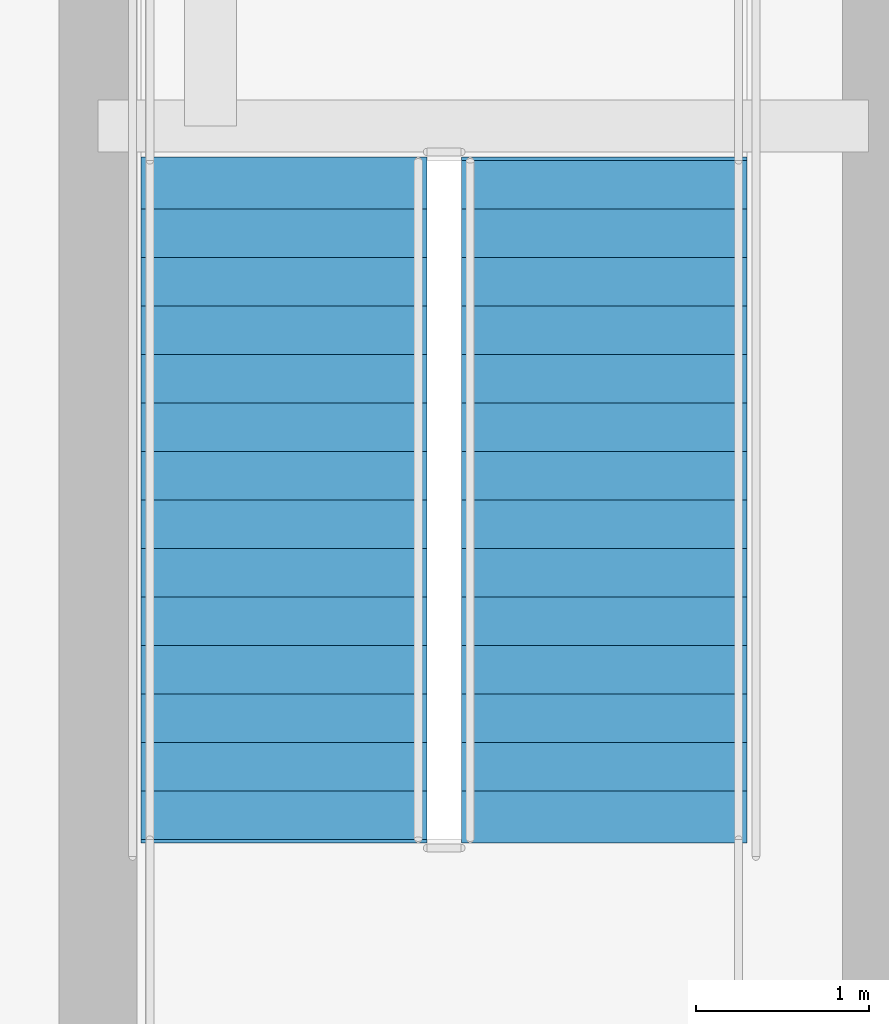
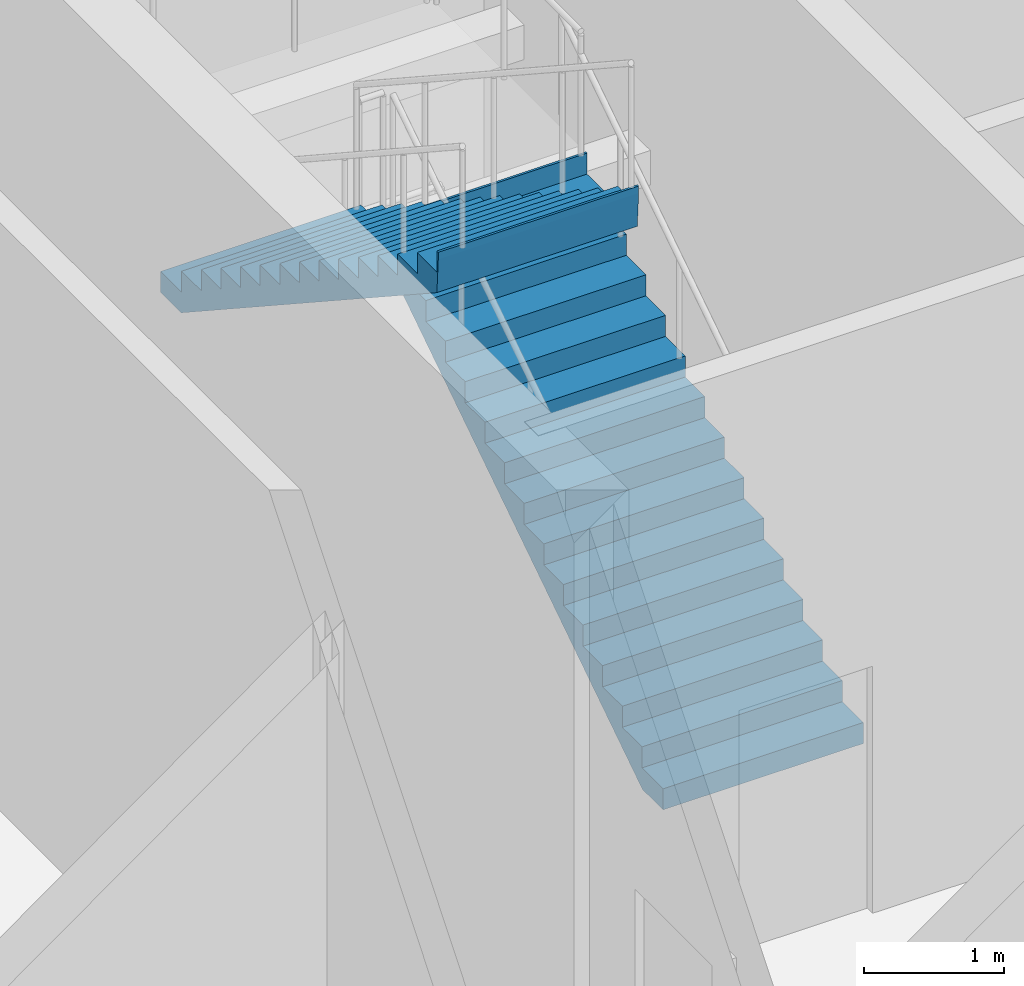
# One storey, part 7 of 15: 2 stair flights, 1 element without a shape of its own.
"""IFC4 building model written with IfcOpenShell, lengths in metres."""

from ifc_helpers import new_model, si_unit, direction, frame, origin, place, context, subcontext, project, spatial, polygons, material, type_object, element, aggregate, save


model = new_model("IFC4")

# Units and contexts
model_context = context("Model", 3, precision=1e-05, world=origin(), true_north=direction((0.0, 1.0)))
body_context = subcontext(model_context, "Body", "Model", "MODEL_VIEW")
ifc_project = project(units=[si_unit("LENGTHUNIT", "METRE"), si_unit("AREAUNIT", "SQUARE_METRE"), si_unit("VOLUMEUNIT", "CUBIC_METRE"), si_unit("PLANEANGLEUNIT", "RADIAN"), si_unit("MASSUNIT", "GRAM", prefix="KILO")], contexts=[model_context])

# Site, building, storey
site_placement = place(None, origin())
site = spatial("IfcSite", under=ifc_project, at=site_placement, CompositionType="ELEMENT")
building_placement = place(site_placement, origin())
building = spatial("IfcBuilding", under=site, at=building_placement, Name="Serunith Strait Residences", CompositionType="ELEMENT")
storey_placement = place(building_placement, origin())
storey = spatial("IfcBuildingStorey", under=building, at=storey_placement, Name="L00", CompositionType="ELEMENT", Elevation=0.0)

# Stair, stair flights
ifc_material = material(Name="Concrete C50/60", Category="concrete")
stair_type = type_object("IfcStairType", Name="STR-CORE-1", PredefinedType="HALF_TURN_STAIR", material=ifc_material)
stair_placement = place(storey_placement, origin())
stair = element("IfcStair", 1, at=stair_placement, inside=storey, type_object=stair_type, Name="L00 Protected Escape Stair ST-1", PredefinedType="HALF_TURN_STAIR")
stair_flight_type = type_object("IfcStairFlightType", Name="FLT-CORE-1", PredefinedType="STRAIGHT", material=ifc_material)
stair_flight_1_placement = place(storey_placement, frame((26.324951171875, 27.030029296875, 0.0), z_axis=(0.0, 0.0, 1.0), x_axis=(0.0, 1.0, 0.0)))
stair_flight_1 = element("IfcStairFlight", 2, at=stair_flight_1_placement, type_object=stair_flight_type, Name="ST-1 flight 1", NumberOfRisers=15, NumberOfTreads=14, PredefinedType="STRAIGHT", RiserHeight=0.183333333, TreadLength=0.28, context=body_context, shape_type="Tessellation", body=[
    polygons([(-0.02001953125, -0.824951171875, 0.0), (-0.02001953125, -0.824951171875, 0.183349609375), (0.280029296875, -0.824951171875, 0.183349609375), (0.280029296875, -0.824951171875, 0.36669921875), (0.56005859375, -0.824951171875, 0.36669921875), (0.56005859375, -0.824951171875, 0.550048828125), (0.840087890625, -0.824951171875, 0.550048828125), (0.840087890625, -0.824951171875, 0.7333984375), (1.1201171875, -0.824951171875, 0.7333984375), (1.1201171875, -0.824951171875, 0.916748046875), (1.39990234375, -0.824951171875, 0.916748046875), (1.39990234375, -0.824951171875, 1.10009765625), (1.679931640625, -0.824951171875, 1.10009765625), (1.679931640625, -0.824951171875, 1.283447265625), (1.9599609375, -0.824951171875, 1.283447265625), (1.9599609375, -0.824951171875, 1.466552734375), (2.239990234375, -0.824951171875, 1.466552734375), (2.239990234375, -0.824951171875, 1.64990234375), (2.52001953125, -0.824951171875, 1.64990234375), (2.52001953125, -0.824951171875, 1.833251953125), (2.800048828125, -0.824951171875, 1.833251953125), (2.800048828125, -0.824951171875, 2.0166015625), (3.080078125, -0.824951171875, 2.0166015625), (3.080078125, -0.824951171875, 2.199951171875), (3.360107421875, -0.824951171875, 2.199951171875), (3.360107421875, -0.824951171875, 2.38330078125), (3.639892578125, -0.824951171875, 2.38330078125), (3.639892578125, -0.824951171875, 2.566650390625), (3.919921875, -0.824951171875, 2.566650390625), (3.919921875, -0.824951171875, 2.75), (3.93994140625, -0.824951171875, 2.75), (3.93994140625, -0.824951171875, 2.68994140625), (3.919921875, -0.824951171875, 2.387451171875), (0.273681640625, -0.824951171875, 0.0), (-0.02001953125, -0.41259765625, 0.0), (-0.02001953125, -0.41259765625, 0.183349609375), (0.280029296875, -0.41259765625, 0.183349609375), (0.280029296875, -0.41259765625, 0.36669921875), (0.56005859375, -0.41259765625, 0.36669921875), (0.56005859375, -0.41259765625, 0.550048828125), (0.840087890625, -0.41259765625, 0.550048828125), (0.840087890625, -0.41259765625, 0.7333984375), (1.1201171875, -0.41259765625, 0.7333984375), (1.1201171875, -0.41259765625, 0.916748046875), (1.39990234375, -0.41259765625, 0.916748046875), (1.39990234375, -0.41259765625, 1.10009765625), (1.679931640625, -0.41259765625, 1.10009765625), (1.679931640625, -0.41259765625, 1.283447265625), (1.9599609375, -0.41259765625, 1.283447265625), (1.9599609375, -0.41259765625, 1.466552734375), (2.239990234375, -0.41259765625, 1.466552734375), (2.239990234375, -0.41259765625, 1.64990234375), (2.52001953125, -0.41259765625, 1.64990234375), (2.52001953125, -0.41259765625, 1.833251953125), (2.800048828125, -0.41259765625, 1.833251953125), (2.800048828125, -0.41259765625, 2.0166015625), (3.080078125, -0.41259765625, 2.0166015625), (3.080078125, -0.41259765625, 2.199951171875), (3.360107421875, -0.41259765625, 2.199951171875), (3.360107421875, -0.41259765625, 2.38330078125), (3.639892578125, -0.41259765625, 2.38330078125), (3.639892578125, -0.41259765625, 2.566650390625), (3.919921875, -0.41259765625, 2.566650390625), (3.919921875, -0.41259765625, 2.75), (3.93994140625, -0.41259765625, 2.75), (3.93994140625, -0.41259765625, 2.68994140625), (3.919921875, -0.41259765625, 2.387451171875), (0.273681640625, -0.41259765625, 0.0), (-0.02001953125, 0.0, 0.0), (-0.02001953125, 0.0, 0.183349609375), (0.280029296875, 0.0, 0.183349609375), (0.280029296875, 0.0, 0.36669921875), (0.56005859375, 0.0, 0.36669921875), (0.56005859375, 0.0, 0.550048828125), (0.840087890625, 0.0, 0.550048828125), (0.840087890625, 0.0, 0.7333984375), (1.1201171875, 0.0, 0.7333984375), (1.1201171875, 0.0, 0.916748046875), (1.39990234375, 0.0, 0.916748046875), (1.39990234375, 0.0, 1.10009765625), (1.679931640625, 0.0, 1.10009765625), (1.679931640625, 0.0, 1.283447265625), (1.9599609375, 0.0, 1.283447265625), (1.9599609375, 0.0, 1.466552734375), (2.239990234375, 0.0, 1.466552734375), (2.239990234375, 0.0, 1.64990234375), (2.52001953125, 0.0, 1.64990234375), (2.52001953125, 0.0, 1.833251953125), (2.800048828125, 0.0, 1.833251953125), (2.800048828125, 0.0, 2.0166015625), (3.080078125, 0.0, 2.0166015625), (3.080078125, 0.0, 2.199951171875), (3.360107421875, 0.0, 2.199951171875), (3.360107421875, 0.0, 2.38330078125), (3.639892578125, 0.0, 2.38330078125), (3.639892578125, 0.0, 2.566650390625), (3.919921875, 0.0, 2.566650390625), (3.919921875, 0.0, 2.75), (3.93994140625, 0.0, 2.75), (3.93994140625, 0.0, 2.68994140625), (3.919921875, 0.0, 2.387451171875), (0.273681640625, 0.0, 0.0), (-0.02001953125, 0.41259765625, 0.0), (-0.02001953125, 0.41259765625, 0.183349609375), (0.280029296875, 0.41259765625, 0.183349609375), (0.280029296875, 0.41259765625, 0.36669921875), (0.56005859375, 0.41259765625, 0.36669921875), (0.56005859375, 0.41259765625, 0.550048828125), (0.840087890625, 0.41259765625, 0.550048828125), (0.840087890625, 0.41259765625, 0.7333984375), (1.1201171875, 0.41259765625, 0.7333984375), (1.1201171875, 0.41259765625, 0.916748046875), (1.39990234375, 0.41259765625, 0.916748046875), (1.39990234375, 0.41259765625, 1.10009765625), (1.679931640625, 0.41259765625, 1.10009765625), (1.679931640625, 0.41259765625, 1.283447265625), (1.9599609375, 0.41259765625, 1.283447265625), (1.9599609375, 0.41259765625, 1.466552734375), (2.239990234375, 0.41259765625, 1.466552734375), (2.239990234375, 0.41259765625, 1.64990234375), (2.52001953125, 0.41259765625, 1.64990234375), (2.52001953125, 0.41259765625, 1.833251953125), (2.800048828125, 0.41259765625, 1.833251953125), (2.800048828125, 0.41259765625, 2.0166015625), (3.080078125, 0.41259765625, 2.0166015625), (3.080078125, 0.41259765625, 2.199951171875), (3.360107421875, 0.41259765625, 2.199951171875), (3.360107421875, 0.41259765625, 2.38330078125), (3.639892578125, 0.41259765625, 2.38330078125), (3.639892578125, 0.41259765625, 2.566650390625), (3.919921875, 0.41259765625, 2.566650390625), (3.919921875, 0.41259765625, 2.75), (3.93994140625, 0.41259765625, 2.75), (3.93994140625, 0.41259765625, 2.68994140625), (3.919921875, 0.41259765625, 2.387451171875), (0.273681640625, 0.41259765625, 0.0), (-0.02001953125, 0.824951171875, 0.0), (-0.02001953125, 0.824951171875, 0.183349609375), (0.280029296875, 0.824951171875, 0.183349609375), (0.280029296875, 0.824951171875, 0.36669921875), (0.56005859375, 0.824951171875, 0.36669921875), (0.56005859375, 0.824951171875, 0.550048828125), (0.840087890625, 0.824951171875, 0.550048828125), (0.840087890625, 0.824951171875, 0.7333984375), (1.1201171875, 0.824951171875, 0.7333984375), (1.1201171875, 0.824951171875, 0.916748046875), (1.39990234375, 0.824951171875, 0.916748046875), (1.39990234375, 0.824951171875, 1.10009765625), (1.679931640625, 0.824951171875, 1.10009765625), (1.679931640625, 0.824951171875, 1.283447265625), (1.9599609375, 0.824951171875, 1.283447265625), (1.9599609375, 0.824951171875, 1.466552734375), (2.239990234375, 0.824951171875, 1.466552734375), (2.239990234375, 0.824951171875, 1.64990234375), (2.52001953125, 0.824951171875, 1.64990234375), (2.52001953125, 0.824951171875, 1.833251953125), (2.800048828125, 0.824951171875, 1.833251953125), (2.800048828125, 0.824951171875, 2.0166015625), (3.080078125, 0.824951171875, 2.0166015625), (3.080078125, 0.824951171875, 2.199951171875), (3.360107421875, 0.824951171875, 2.199951171875), (3.360107421875, 0.824951171875, 2.38330078125), (3.639892578125, 0.824951171875, 2.38330078125), (3.639892578125, 0.824951171875, 2.566650390625), (3.919921875, 0.824951171875, 2.566650390625), (3.919921875, 0.824951171875, 2.75), (3.93994140625, 0.824951171875, 2.75), (3.93994140625, 0.824951171875, 2.68994140625), (3.919921875, 0.824951171875, 2.387451171875), (0.273681640625, 0.824951171875, 0.0)], [[[1, 2, 36, 35]], [[2, 3, 37, 36]], [[3, 4, 38, 37]], [[4, 5, 39, 38]], [[5, 6, 40, 39]], [[6, 7, 41, 40]], [[7, 8, 42, 41]], [[8, 9, 43, 42]], [[9, 10, 44, 43]], [[10, 11, 45, 44]], [[11, 12, 46, 45]], [[12, 13, 47, 46]], [[13, 14, 48, 47]], [[14, 15, 49, 48]], [[15, 16, 50, 49]], [[16, 17, 51, 50]], [[17, 18, 52, 51]], [[18, 19, 53, 52]], [[19, 20, 54, 53]], [[20, 21, 55, 54]], [[21, 22, 56, 55]], [[22, 23, 57, 56]], [[23, 24, 58, 57]], [[24, 25, 59, 58]], [[25, 26, 60, 59]], [[26, 27, 61, 60]], [[27, 28, 62, 61]], [[28, 29, 63, 62]], [[29, 30, 64, 63]], [[30, 31, 65, 64]], [[31, 32, 66, 65]], [[32, 33, 67, 66]], [[33, 34, 68, 67]], [[34, 1, 35, 68]], [[35, 36, 70, 69]], [[36, 37, 71, 70]], [[37, 38, 72, 71]], [[38, 39, 73, 72]], [[39, 40, 74, 73]], [[40, 41, 75, 74]], [[41, 42, 76, 75]], [[42, 43, 77, 76]], [[43, 44, 78, 77]], [[44, 45, 79, 78]], [[45, 46, 80, 79]], [[46, 47, 81, 80]], [[47, 48, 82, 81]], [[48, 49, 83, 82]], [[49, 50, 84, 83]], [[50, 51, 85, 84]], [[51, 52, 86, 85]], [[52, 53, 87, 86]], [[53, 54, 88, 87]], [[54, 55, 89, 88]], [[55, 56, 90, 89]], [[56, 57, 91, 90]], [[57, 58, 92, 91]], [[58, 59, 93, 92]], [[59, 60, 94, 93]], [[60, 61, 95, 94]], [[61, 62, 96, 95]], [[62, 63, 97, 96]], [[63, 64, 98, 97]], [[64, 65, 99, 98]], [[65, 66, 100, 99]], [[66, 67, 101, 100]], [[67, 68, 102, 101]], [[68, 35, 69, 102]], [[69, 70, 104, 103]], [[70, 71, 105, 104]], [[71, 72, 106, 105]], [[72, 73, 107, 106]], [[73, 74, 108, 107]], [[74, 75, 109, 108]], [[75, 76, 110, 109]], [[76, 77, 111, 110]], [[77, 78, 112, 111]], [[78, 79, 113, 112]], [[79, 80, 114, 113]], [[80, 81, 115, 114]], [[81, 82, 116, 115]], [[82, 83, 117, 116]], [[83, 84, 118, 117]], [[84, 85, 119, 118]], [[85, 86, 120, 119]], [[86, 87, 121, 120]], [[87, 88, 122, 121]], [[88, 89, 123, 122]], [[89, 90, 124, 123]], [[90, 91, 125, 124]], [[91, 92, 126, 125]], [[92, 93, 127, 126]], [[93, 94, 128, 127]], [[94, 95, 129, 128]], [[95, 96, 130, 129]], [[96, 97, 131, 130]], [[97, 98, 132, 131]], [[98, 99, 133, 132]], [[99, 100, 134, 133]], [[100, 101, 135, 134]], [[101, 102, 136, 135]], [[102, 69, 103, 136]], [[103, 104, 138, 137]], [[104, 105, 139, 138]], [[105, 106, 140, 139]], [[106, 107, 141, 140]], [[107, 108, 142, 141]], [[108, 109, 143, 142]], [[109, 110, 144, 143]], [[110, 111, 145, 144]], [[111, 112, 146, 145]], [[112, 113, 147, 146]], [[113, 114, 148, 147]], [[114, 115, 149, 148]], [[115, 116, 150, 149]], [[116, 117, 151, 150]], [[117, 118, 152, 151]], [[118, 119, 153, 152]], [[119, 120, 154, 153]], [[120, 121, 155, 154]], [[121, 122, 156, 155]], [[122, 123, 157, 156]], [[123, 124, 158, 157]], [[124, 125, 159, 158]], [[125, 126, 160, 159]], [[126, 127, 161, 160]], [[127, 128, 162, 161]], [[128, 129, 163, 162]], [[129, 130, 164, 163]], [[130, 131, 165, 164]], [[131, 132, 166, 165]], [[132, 133, 167, 166]], [[133, 134, 168, 167]], [[134, 135, 169, 168]], [[135, 136, 170, 169]], [[136, 103, 137, 170]], [[34, 33, 32, 31, 30, 29, 28, 27, 26, 25, 24, 23, 22, 21, 20, 19, 18, 17, 16, 15, 14, 13, 12, 11, 10, 9, 8, 7, 6, 5, 4, 3, 2, 1]], [[137, 138, 139, 140, 141, 142, 143, 144, 145, 146, 147, 148, 149, 150, 151, 152, 153, 154, 155, 156, 157, 158, 159, 160, 161, 162, 163, 164, 165, 166, 167, 168, 169, 170]]], closed=True),
])
stair_flight_2_placement = place(storey_placement, frame((24.47509765625, 30.949951171875, 2.75), z_axis=(0.0, 0.0, 1.0), x_axis=(0.0, -1.0, 0.0)))
stair_flight_2 = element("IfcStairFlight", 3, at=stair_flight_2_placement, type_object=stair_flight_type, Name="ST-1 flight 2", NumberOfRisers=15, NumberOfTreads=14, PredefinedType="STRAIGHT", RiserHeight=0.183333333, TreadLength=0.28, context=body_context, shape_type="Tessellation", body=[
    polygons([(-0.02001953125, -0.824951171875, 0.0), (-0.02001953125, -0.824951171875, 0.183349609375), (0.280029296875, -0.824951171875, 0.183349609375), (0.280029296875, -0.824951171875, 0.36669921875), (0.56005859375, -0.824951171875, 0.36669921875), (0.56005859375, -0.824951171875, 0.550048828125), (0.840087890625, -0.824951171875, 0.550048828125), (0.840087890625, -0.824951171875, 0.7333984375), (1.1201171875, -0.824951171875, 0.7333984375), (1.1201171875, -0.824951171875, 0.916748046875), (1.39990234375, -0.824951171875, 0.916748046875), (1.39990234375, -0.824951171875, 1.10009765625), (1.679931640625, -0.824951171875, 1.10009765625), (1.679931640625, -0.824951171875, 1.283447265625), (1.9599609375, -0.824951171875, 1.283447265625), (1.9599609375, -0.824951171875, 1.466552734375), (2.239990234375, -0.824951171875, 1.466552734375), (2.239990234375, -0.824951171875, 1.64990234375), (2.52001953125, -0.824951171875, 1.64990234375), (2.52001953125, -0.824951171875, 1.833251953125), (2.800048828125, -0.824951171875, 1.833251953125), (2.800048828125, -0.824951171875, 2.0166015625), (3.080078125, -0.824951171875, 2.0166015625), (3.080078125, -0.824951171875, 2.199951171875), (3.360107421875, -0.824951171875, 2.199951171875), (3.360107421875, -0.824951171875, 2.38330078125), (3.639892578125, -0.824951171875, 2.38330078125), (3.639892578125, -0.824951171875, 2.566650390625), (3.919921875, -0.824951171875, 2.566650390625), (3.919921875, -0.824951171875, 2.75), (3.93994140625, -0.824951171875, 2.75), (3.93994140625, -0.824951171875, 2.68994140625), (3.919921875, -0.824951171875, 2.387451171875), (0.273681640625, -0.824951171875, 0.0), (-0.02001953125, -0.41259765625, 0.0), (-0.02001953125, -0.41259765625, 0.183349609375), (0.280029296875, -0.41259765625, 0.183349609375), (0.280029296875, -0.41259765625, 0.36669921875), (0.56005859375, -0.41259765625, 0.36669921875), (0.56005859375, -0.41259765625, 0.550048828125), (0.840087890625, -0.41259765625, 0.550048828125), (0.840087890625, -0.41259765625, 0.7333984375), (1.1201171875, -0.41259765625, 0.7333984375), (1.1201171875, -0.41259765625, 0.916748046875), (1.39990234375, -0.41259765625, 0.916748046875), (1.39990234375, -0.41259765625, 1.10009765625), (1.679931640625, -0.41259765625, 1.10009765625), (1.679931640625, -0.41259765625, 1.283447265625), (1.9599609375, -0.41259765625, 1.283447265625), (1.9599609375, -0.41259765625, 1.466552734375), (2.239990234375, -0.41259765625, 1.466552734375), (2.239990234375, -0.41259765625, 1.64990234375), (2.52001953125, -0.41259765625, 1.64990234375), (2.52001953125, -0.41259765625, 1.833251953125), (2.800048828125, -0.41259765625, 1.833251953125), (2.800048828125, -0.41259765625, 2.0166015625), (3.080078125, -0.41259765625, 2.0166015625), (3.080078125, -0.41259765625, 2.199951171875), (3.360107421875, -0.41259765625, 2.199951171875), (3.360107421875, -0.41259765625, 2.38330078125), (3.639892578125, -0.41259765625, 2.38330078125), (3.639892578125, -0.41259765625, 2.566650390625), (3.919921875, -0.41259765625, 2.566650390625), (3.919921875, -0.41259765625, 2.75), (3.93994140625, -0.41259765625, 2.75), (3.93994140625, -0.41259765625, 2.68994140625), (3.919921875, -0.41259765625, 2.387451171875), (0.273681640625, -0.41259765625, 0.0), (-0.02001953125, 0.0, 0.0), (-0.02001953125, 0.0, 0.183349609375), (0.280029296875, 0.0, 0.183349609375), (0.280029296875, 0.0, 0.36669921875), (0.56005859375, 0.0, 0.36669921875), (0.56005859375, 0.0, 0.550048828125), (0.840087890625, 0.0, 0.550048828125), (0.840087890625, 0.0, 0.7333984375), (1.1201171875, 0.0, 0.7333984375), (1.1201171875, 0.0, 0.916748046875), (1.39990234375, 0.0, 0.916748046875), (1.39990234375, 0.0, 1.10009765625), (1.679931640625, 0.0, 1.10009765625), (1.679931640625, 0.0, 1.283447265625), (1.9599609375, 0.0, 1.283447265625), (1.9599609375, 0.0, 1.466552734375), (2.239990234375, 0.0, 1.466552734375), (2.239990234375, 0.0, 1.64990234375), (2.52001953125, 0.0, 1.64990234375), (2.52001953125, 0.0, 1.833251953125), (2.800048828125, 0.0, 1.833251953125), (2.800048828125, 0.0, 2.0166015625), (3.080078125, 0.0, 2.0166015625), (3.080078125, 0.0, 2.199951171875), (3.360107421875, 0.0, 2.199951171875), (3.360107421875, 0.0, 2.38330078125), (3.639892578125, 0.0, 2.38330078125), (3.639892578125, 0.0, 2.566650390625), (3.919921875, 0.0, 2.566650390625), (3.919921875, 0.0, 2.75), (3.93994140625, 0.0, 2.75), (3.93994140625, 0.0, 2.68994140625), (3.919921875, 0.0, 2.387451171875), (0.273681640625, 0.0, 0.0), (-0.02001953125, 0.41259765625, 0.0), (-0.02001953125, 0.41259765625, 0.183349609375), (0.280029296875, 0.41259765625, 0.183349609375), (0.280029296875, 0.41259765625, 0.36669921875), (0.56005859375, 0.41259765625, 0.36669921875), (0.56005859375, 0.41259765625, 0.550048828125), (0.840087890625, 0.41259765625, 0.550048828125), (0.840087890625, 0.41259765625, 0.7333984375), (1.1201171875, 0.41259765625, 0.7333984375), (1.1201171875, 0.41259765625, 0.916748046875), (1.39990234375, 0.41259765625, 0.916748046875), (1.39990234375, 0.41259765625, 1.10009765625), (1.679931640625, 0.41259765625, 1.10009765625), (1.679931640625, 0.41259765625, 1.283447265625), (1.9599609375, 0.41259765625, 1.283447265625), (1.9599609375, 0.41259765625, 1.466552734375), (2.239990234375, 0.41259765625, 1.466552734375), (2.239990234375, 0.41259765625, 1.64990234375), (2.52001953125, 0.41259765625, 1.64990234375), (2.52001953125, 0.41259765625, 1.833251953125), (2.800048828125, 0.41259765625, 1.833251953125), (2.800048828125, 0.41259765625, 2.0166015625), (3.080078125, 0.41259765625, 2.0166015625), (3.080078125, 0.41259765625, 2.199951171875), (3.360107421875, 0.41259765625, 2.199951171875), (3.360107421875, 0.41259765625, 2.38330078125), (3.639892578125, 0.41259765625, 2.38330078125), (3.639892578125, 0.41259765625, 2.566650390625), (3.919921875, 0.41259765625, 2.566650390625), (3.919921875, 0.41259765625, 2.75), (3.93994140625, 0.41259765625, 2.75), (3.93994140625, 0.41259765625, 2.68994140625), (3.919921875, 0.41259765625, 2.387451171875), (0.273681640625, 0.41259765625, 0.0), (-0.02001953125, 0.824951171875, 0.0), (-0.02001953125, 0.824951171875, 0.183349609375), (0.280029296875, 0.824951171875, 0.183349609375), (0.280029296875, 0.824951171875, 0.36669921875), (0.56005859375, 0.824951171875, 0.36669921875), (0.56005859375, 0.824951171875, 0.550048828125), (0.840087890625, 0.824951171875, 0.550048828125), (0.840087890625, 0.824951171875, 0.7333984375), (1.1201171875, 0.824951171875, 0.7333984375), (1.1201171875, 0.824951171875, 0.916748046875), (1.39990234375, 0.824951171875, 0.916748046875), (1.39990234375, 0.824951171875, 1.10009765625), (1.679931640625, 0.824951171875, 1.10009765625), (1.679931640625, 0.824951171875, 1.283447265625), (1.9599609375, 0.824951171875, 1.283447265625), (1.9599609375, 0.824951171875, 1.466552734375), (2.239990234375, 0.824951171875, 1.466552734375), (2.239990234375, 0.824951171875, 1.64990234375), (2.52001953125, 0.824951171875, 1.64990234375), (2.52001953125, 0.824951171875, 1.833251953125), (2.800048828125, 0.824951171875, 1.833251953125), (2.800048828125, 0.824951171875, 2.0166015625), (3.080078125, 0.824951171875, 2.0166015625), (3.080078125, 0.824951171875, 2.199951171875), (3.360107421875, 0.824951171875, 2.199951171875), (3.360107421875, 0.824951171875, 2.38330078125), (3.639892578125, 0.824951171875, 2.38330078125), (3.639892578125, 0.824951171875, 2.566650390625), (3.919921875, 0.824951171875, 2.566650390625), (3.919921875, 0.824951171875, 2.75), (3.93994140625, 0.824951171875, 2.75), (3.93994140625, 0.824951171875, 2.68994140625), (3.919921875, 0.824951171875, 2.387451171875), (0.273681640625, 0.824951171875, 0.0)], [[[1, 2, 36, 35]], [[2, 3, 37, 36]], [[3, 4, 38, 37]], [[4, 5, 39, 38]], [[5, 6, 40, 39]], [[6, 7, 41, 40]], [[7, 8, 42, 41]], [[8, 9, 43, 42]], [[9, 10, 44, 43]], [[10, 11, 45, 44]], [[11, 12, 46, 45]], [[12, 13, 47, 46]], [[13, 14, 48, 47]], [[14, 15, 49, 48]], [[15, 16, 50, 49]], [[16, 17, 51, 50]], [[17, 18, 52, 51]], [[18, 19, 53, 52]], [[19, 20, 54, 53]], [[20, 21, 55, 54]], [[21, 22, 56, 55]], [[22, 23, 57, 56]], [[23, 24, 58, 57]], [[24, 25, 59, 58]], [[25, 26, 60, 59]], [[26, 27, 61, 60]], [[27, 28, 62, 61]], [[28, 29, 63, 62]], [[29, 30, 64, 63]], [[30, 31, 65, 64]], [[31, 32, 66, 65]], [[32, 33, 67, 66]], [[33, 34, 68, 67]], [[34, 1, 35, 68]], [[35, 36, 70, 69]], [[36, 37, 71, 70]], [[37, 38, 72, 71]], [[38, 39, 73, 72]], [[39, 40, 74, 73]], [[40, 41, 75, 74]], [[41, 42, 76, 75]], [[42, 43, 77, 76]], [[43, 44, 78, 77]], [[44, 45, 79, 78]], [[45, 46, 80, 79]], [[46, 47, 81, 80]], [[47, 48, 82, 81]], [[48, 49, 83, 82]], [[49, 50, 84, 83]], [[50, 51, 85, 84]], [[51, 52, 86, 85]], [[52, 53, 87, 86]], [[53, 54, 88, 87]], [[54, 55, 89, 88]], [[55, 56, 90, 89]], [[56, 57, 91, 90]], [[57, 58, 92, 91]], [[58, 59, 93, 92]], [[59, 60, 94, 93]], [[60, 61, 95, 94]], [[61, 62, 96, 95]], [[62, 63, 97, 96]], [[63, 64, 98, 97]], [[64, 65, 99, 98]], [[65, 66, 100, 99]], [[66, 67, 101, 100]], [[67, 68, 102, 101]], [[68, 35, 69, 102]], [[69, 70, 104, 103]], [[70, 71, 105, 104]], [[71, 72, 106, 105]], [[72, 73, 107, 106]], [[73, 74, 108, 107]], [[74, 75, 109, 108]], [[75, 76, 110, 109]], [[76, 77, 111, 110]], [[77, 78, 112, 111]], [[78, 79, 113, 112]], [[79, 80, 114, 113]], [[80, 81, 115, 114]], [[81, 82, 116, 115]], [[82, 83, 117, 116]], [[83, 84, 118, 117]], [[84, 85, 119, 118]], [[85, 86, 120, 119]], [[86, 87, 121, 120]], [[87, 88, 122, 121]], [[88, 89, 123, 122]], [[89, 90, 124, 123]], [[90, 91, 125, 124]], [[91, 92, 126, 125]], [[92, 93, 127, 126]], [[93, 94, 128, 127]], [[94, 95, 129, 128]], [[95, 96, 130, 129]], [[96, 97, 131, 130]], [[97, 98, 132, 131]], [[98, 99, 133, 132]], [[99, 100, 134, 133]], [[100, 101, 135, 134]], [[101, 102, 136, 135]], [[102, 69, 103, 136]], [[103, 104, 138, 137]], [[104, 105, 139, 138]], [[105, 106, 140, 139]], [[106, 107, 141, 140]], [[107, 108, 142, 141]], [[108, 109, 143, 142]], [[109, 110, 144, 143]], [[110, 111, 145, 144]], [[111, 112, 146, 145]], [[112, 113, 147, 146]], [[113, 114, 148, 147]], [[114, 115, 149, 148]], [[115, 116, 150, 149]], [[116, 117, 151, 150]], [[117, 118, 152, 151]], [[118, 119, 153, 152]], [[119, 120, 154, 153]], [[120, 121, 155, 154]], [[121, 122, 156, 155]], [[122, 123, 157, 156]], [[123, 124, 158, 157]], [[124, 125, 159, 158]], [[125, 126, 160, 159]], [[126, 127, 161, 160]], [[127, 128, 162, 161]], [[128, 129, 163, 162]], [[129, 130, 164, 163]], [[130, 131, 165, 164]], [[131, 132, 166, 165]], [[132, 133, 167, 166]], [[133, 134, 168, 167]], [[134, 135, 169, 168]], [[135, 136, 170, 169]], [[136, 103, 137, 170]], [[34, 33, 32, 31, 30, 29, 28, 27, 26, 25, 24, 23, 22, 21, 20, 19, 18, 17, 16, 15, 14, 13, 12, 11, 10, 9, 8, 7, 6, 5, 4, 3, 2, 1]], [[137, 138, 139, 140, 141, 142, 143, 144, 145, 146, 147, 148, 149, 150, 151, 152, 153, 154, 155, 156, 157, 158, 159, 160, 161, 162, 163, 164, 165, 166, 167, 168, 169, 170]]], closed=True),
])
aggregate(stair, [stair_flight_1, stair_flight_2])

save(model, "model.ifc")
